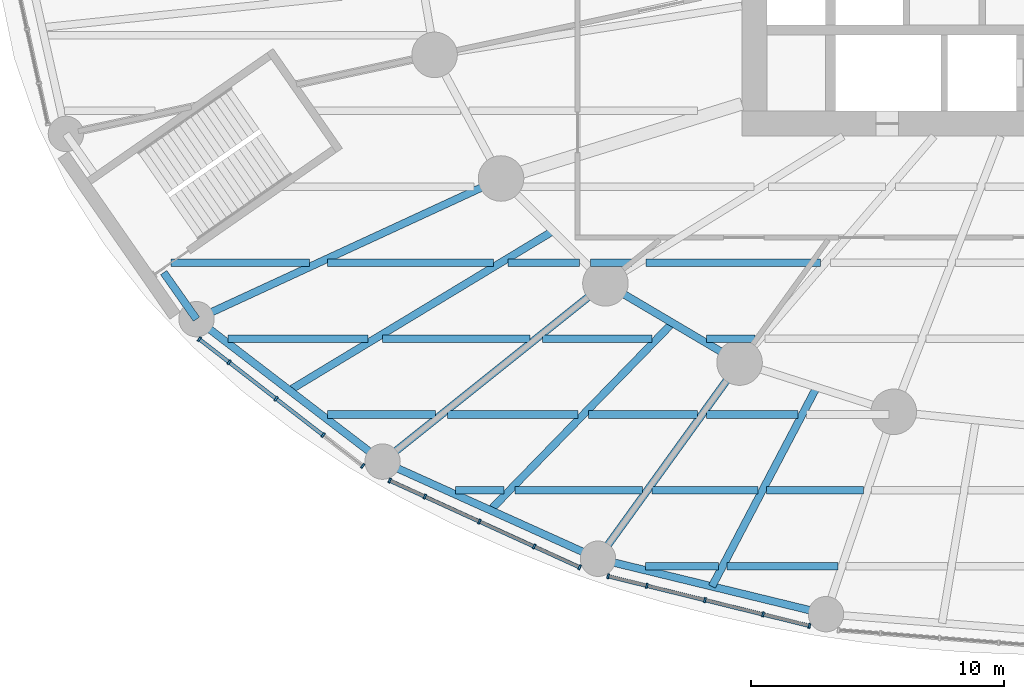
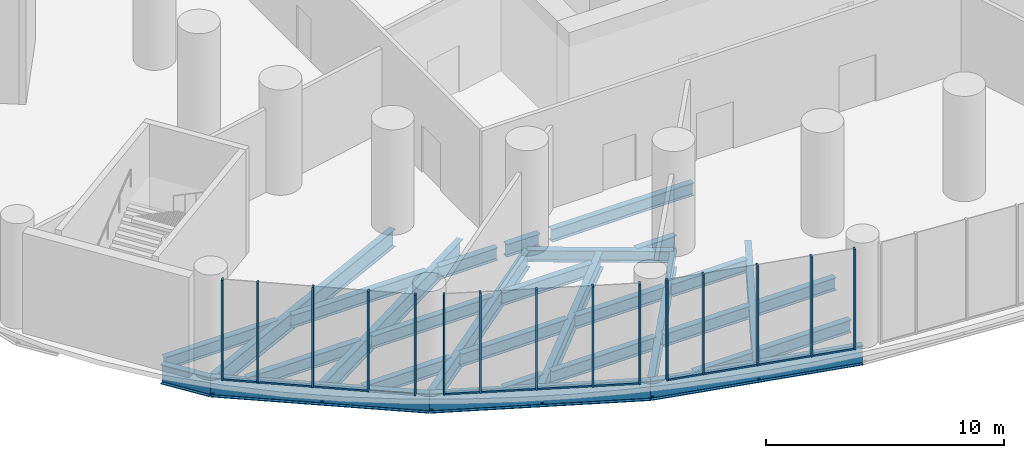
# One storey, part 2 of 21: 30 beams, 26 members, 3 elements without a shape of their own.
"""IFC4 building model written with IfcOpenShell, lengths in metres."""

from ifc_helpers import new_model, si_unit, direction, frame, origin, origin_2d, place, context, subcontext, project, spatial, rectangle, i_section, extrude, material, material_profile, profile_set, type_object, element, aggregate, save


model = new_model("IFC4")

# Units and contexts
model_context = context("Model", 3, precision=1e-05, world=origin(), true_north=direction((0.0, 1.0)))
body_context = subcontext(model_context, "Body", "Model", "MODEL_VIEW")
ifc_project = project(units=[si_unit("LENGTHUNIT", "METRE"), si_unit("AREAUNIT", "SQUARE_METRE"), si_unit("VOLUMEUNIT", "CUBIC_METRE"), si_unit("PLANEANGLEUNIT", "RADIAN"), si_unit("MASSUNIT", "GRAM", prefix="KILO")], contexts=[model_context])

# Site, building, storey
site_placement = place(None, origin())
site = spatial("IfcSite", under=ifc_project, at=site_placement, CompositionType="ELEMENT")
building_placement = place(site_placement, origin())
building = spatial("IfcBuilding", under=site, at=building_placement, Name="Hankou Lantern Tower", CompositionType="ELEMENT")
storey_placement = place(building_placement, frame((0.0, 0.0, 13.800048828125)))
storey = spatial("IfcBuildingStorey", under=building, at=storey_placement, Name="L02", CompositionType="ELEMENT", Elevation=13.800048828125)

# Beam
ifc_material_1 = material(Name="Steel Q355B", Category="steel")
ifc_material_profile_1 = material_profile(ifc_material_1, i_section(OverallWidth=0.300048828125, OverallDepth=0.587890625, WebThickness=0.011962890625, FlangeThickness=0.02001953125, FilletRadius=0.01806640625, at=origin_2d()), Name="HM588x300x12x20")
ifc_profile_set_1 = profile_set([ifc_material_profile_1], Name="Steel Q355B")
beam_type_1 = type_object("IfcBeamType", Name="EB16 RING BEAM HM588x300x12x20", PredefinedType="SPANDREL", material=ifc_profile_set_1)
beam_1_placement = place(storey_placement, frame((-17.891845703125, -14.3134765625, -0.5439453125), z_axis=(0.860881533543, -0.508805449268, 0.0), x_axis=(0.508805449268, 0.860881533543, 0.0)))
element("IfcBeam", 1, at=beam_1_placement, inside=storey, type_object=beam_type_1, Name="Ring beam R16-R17 L02", PredefinedType="SPANDREL", context=body_context, shape_type="SweptSolid", body=[
    extrude(i_section(OverallWidth=0.300048828125, OverallDepth=0.587890625, WebThickness=0.011962890625, FlangeThickness=0.02001953125, FilletRadius=0.01806640625, at=origin_2d()), origin(), (0.0, 0.0, 1.0), 6.15771484375),
])

# Curtain wall, members
ifc_material_2 = material(Name="Glass, dark grey tinted laminated", Category="glass")
curtain_wall_type = type_object("IfcCurtainWallType", Name="CWP PODIUM CURTAIN WALL", PredefinedType="USERDEFINED", material=ifc_material_2)
curtain_wall_1_placement = place(storey_placement, origin())
curtain_wall_1 = element("IfcCurtainWall", 2, at=curtain_wall_1_placement, inside=storey, type_object=curtain_wall_type, Name="CWP L02 PC11", ObjectType="PODIUM GLAZING", PredefinedType="USERDEFINED")
ifc_material_3 = material(Name="Aluminium, black anodised", Category="aluminium")
ifc_material_profile_2 = material_profile(ifc_material_3, rectangle(XDim=0.080078125, YDim=0.199951171875, at=origin_2d()), Name="MU2 80X200")
ifc_profile_set_2 = profile_set([ifc_material_profile_2], Name="Aluminium, black anodised")
member_type_1 = type_object("IfcMemberType", Name="MU2 PODIUM MULLION 80X200", PredefinedType="MULLION", material=ifc_profile_set_2)
member_1_placement = place(storey_placement, frame((-33.945068359375, -16.520751953125, 0.0), z_axis=(0.0, 0.0, 1.0), x_axis=(0.790129760642, -0.612939606608, 0.0)))
member_1 = element("IfcMember", 3, at=member_1_placement, type_object=member_type_1, Name="CWP mullion 1", PredefinedType="MULLION", context=body_context, shape_type="SweptSolid", body=[
    extrude(rectangle(XDim=0.080078125, YDim=0.199951171875, at=origin_2d()), origin(), (0.0, 0.0, 1.0), 5.14990234375),
])
member_2_placement = place(storey_placement, frame((-32.76806640625, -17.433837890625, 0.0), z_axis=(0.0, 0.0, 1.0), x_axis=(0.790129760642, -0.612939606608, 0.0)))
member_2 = element("IfcMember", 4, at=member_2_placement, type_object=member_type_1, Name="CWP mullion 2", PredefinedType="MULLION", context=body_context, shape_type="SweptSolid", body=[
    extrude(rectangle(XDim=0.080078125, YDim=0.199951171875, at=origin_2d()), origin(), (0.0, 0.0, 1.0), 5.14990234375),
])
member_3_placement = place(storey_placement, frame((-30.91064453125, -18.874755859375, 0.0), z_axis=(0.0, 0.0, 1.0), x_axis=(0.790129760642, -0.612939606608, 0.0)))
member_3 = element("IfcMember", 5, at=member_3_placement, type_object=member_type_1, Name="CWP mullion 3", PredefinedType="MULLION", context=body_context, shape_type="SweptSolid", body=[
    extrude(rectangle(XDim=0.080078125, YDim=0.199951171875, at=origin_2d()), origin(), (0.0, 0.0, 1.0), 5.14990234375),
])
member_4_placement = place(storey_placement, frame((-29.05322265625, -20.315673828125, 0.0), z_axis=(0.0, 0.0, 1.0), x_axis=(0.790129760642, -0.612939606608, 0.0)))
member_4 = element("IfcMember", 6, at=member_4_placement, type_object=member_type_1, Name="CWP mullion 4", PredefinedType="MULLION", context=body_context, shape_type="SweptSolid", body=[
    extrude(rectangle(XDim=0.080078125, YDim=0.199951171875, at=origin_2d()), origin(), (0.0, 0.0, 1.0), 5.14990234375),
])
member_5_placement = place(storey_placement, frame((-27.487060546875, -21.530517578125, 0.0), z_axis=(0.0, 0.0, 1.0), x_axis=(0.790129760642, -0.612939606608, 0.0)))
member_5 = element("IfcMember", 7, at=member_5_placement, type_object=member_type_1, Name="CWP mullion 5", PredefinedType="MULLION", context=body_context, shape_type="SweptSolid", body=[
    extrude(rectangle(XDim=0.080078125, YDim=0.199951171875, at=origin_2d()), origin(), (0.0, 0.0, 1.0), 5.14990234375),
])

curtain_wall_2_placement = place(storey_placement, origin())
curtain_wall_2 = element("IfcCurtainWall", 8, at=curtain_wall_2_placement, inside=storey, type_object=curtain_wall_type, Name="CWP L02 PC12", ObjectType="PODIUM GLAZING", PredefinedType="USERDEFINED")
member_6_placement = place(storey_placement, frame((-26.421630859375, -22.10986328125, 0.0), z_axis=(0.0, 0.0, 1.0), x_axis=(0.909669790944, -0.41533224224, 0.0)))
member_6 = element("IfcMember", 9, at=member_6_placement, type_object=member_type_1, Name="CWP mullion 1", PredefinedType="MULLION", context=body_context, shape_type="SweptSolid", body=[
    extrude(rectangle(XDim=0.080078125, YDim=0.199951171875, at=origin_2d()), origin(), (0.0, 0.0, 1.0), 5.14990234375),
])
member_7_placement = place(storey_placement, frame((-25.034423828125, -22.743408203125, 0.0), z_axis=(0.0, 0.0, 1.0), x_axis=(0.909669790944, -0.41533224224, 0.0)))
member_7 = element("IfcMember", 10, at=member_7_placement, type_object=member_type_1, Name="CWP mullion 2", PredefinedType="MULLION", context=body_context, shape_type="SweptSolid", body=[
    extrude(rectangle(XDim=0.080078125, YDim=0.199951171875, at=origin_2d()), origin(), (0.0, 0.0, 1.0), 5.14990234375),
])
member_8_placement = place(storey_placement, frame((-22.873046875, -23.730224609375, 0.0), z_axis=(0.0, 0.0, 1.0), x_axis=(0.909669790944, -0.41533224224, 0.0)))
member_8 = element("IfcMember", 11, at=member_8_placement, type_object=member_type_1, Name="CWP mullion 3", PredefinedType="MULLION", context=body_context, shape_type="SweptSolid", body=[
    extrude(rectangle(XDim=0.080078125, YDim=0.199951171875, at=origin_2d()), origin(), (0.0, 0.0, 1.0), 5.14990234375),
])
member_9_placement = place(storey_placement, frame((-20.711669921875, -24.717041015625, 0.0), z_axis=(0.0, 0.0, 1.0), x_axis=(0.909669790944, -0.41533224224, 0.0)))
member_9 = element("IfcMember", 12, at=member_9_placement, type_object=member_type_1, Name="CWP mullion 4", PredefinedType="MULLION", context=body_context, shape_type="SweptSolid", body=[
    extrude(rectangle(XDim=0.080078125, YDim=0.199951171875, at=origin_2d()), origin(), (0.0, 0.0, 1.0), 5.14990234375),
])
member_10_placement = place(storey_placement, frame((-18.913818359375, -25.537841796875, 0.0), z_axis=(0.0, 0.0, 1.0), x_axis=(0.909669790944, -0.41533224224, 0.0)))
member_10 = element("IfcMember", 13, at=member_10_placement, type_object=member_type_1, Name="CWP mullion 5", PredefinedType="MULLION", context=body_context, shape_type="SweptSolid", body=[
    extrude(rectangle(XDim=0.080078125, YDim=0.199951171875, at=origin_2d()), origin(), (0.0, 0.0, 1.0), 5.14990234375),
])

curtain_wall_3_placement = place(storey_placement, origin())
curtain_wall_3 = element("IfcCurtainWall", 14, at=curtain_wall_3_placement, inside=storey, type_object=curtain_wall_type, Name="CWP L02 PC13", ObjectType="PODIUM GLAZING", PredefinedType="USERDEFINED")
member_11_placement = place(storey_placement, frame((-17.785888671875, -25.892333984375, 0.0), z_axis=(0.0, 0.0, 1.0), x_axis=(0.970960955091, -0.239238006364, 0.0)))
member_11 = element("IfcMember", 15, at=member_11_placement, type_object=member_type_1, Name="CWP mullion 1", PredefinedType="MULLION", context=body_context, shape_type="SweptSolid", body=[
    extrude(rectangle(XDim=0.080078125, YDim=0.199951171875, at=origin_2d()), origin(), (0.0, 0.0, 1.0), 5.14990234375),
])
member_12_placement = place(storey_placement, frame((-16.25439453125, -26.26953125, 0.0), z_axis=(0.0, 0.0, 1.0), x_axis=(0.970960955091, -0.239238006364, 0.0)))
member_12 = element("IfcMember", 16, at=member_12_placement, type_object=member_type_1, Name="CWP mullion 2", PredefinedType="MULLION", context=body_context, shape_type="SweptSolid", body=[
    extrude(rectangle(XDim=0.080078125, YDim=0.199951171875, at=origin_2d()), origin(), (0.0, 0.0, 1.0), 5.14990234375),
])
member_13_placement = place(storey_placement, frame((-13.95849609375, -26.835205078125, 0.0), z_axis=(0.0, 0.0, 1.0), x_axis=(0.970960955091, -0.239238006364, 0.0)))
member_13 = element("IfcMember", 17, at=member_13_placement, type_object=member_type_1, Name="CWP mullion 3", PredefinedType="MULLION", context=body_context, shape_type="SweptSolid", body=[
    extrude(rectangle(XDim=0.080078125, YDim=0.199951171875, at=origin_2d()), origin(), (0.0, 0.0, 1.0), 5.14990234375),
])
member_14_placement = place(storey_placement, frame((-11.662841796875, -27.40087890625, 0.0), z_axis=(0.0, 0.0, 1.0), x_axis=(0.970960955091, -0.239238006364, 0.0)))
member_14 = element("IfcMember", 18, at=member_14_placement, type_object=member_type_1, Name="CWP mullion 4", PredefinedType="MULLION", context=body_context, shape_type="SweptSolid", body=[
    extrude(rectangle(XDim=0.080078125, YDim=0.199951171875, at=origin_2d()), origin(), (0.0, 0.0, 1.0), 5.14990234375),
])
member_15_placement = place(storey_placement, frame((-9.83056640625, -27.852294921875, 0.0), z_axis=(0.0, 0.0, 1.0), x_axis=(0.970960955091, -0.239238006364, 0.0)))
member_15 = element("IfcMember", 19, at=member_15_placement, type_object=member_type_1, Name="CWP mullion 5", PredefinedType="MULLION", context=body_context, shape_type="SweptSolid", body=[
    extrude(rectangle(XDim=0.080078125, YDim=0.199951171875, at=origin_2d()), origin(), (0.0, 0.0, 1.0), 5.14990234375),
])

# Beams
ifc_material_4 = material(Name="Steel Q355B", Category="steel")
ifc_material_profile_3 = material_profile(ifc_material_4, i_section(OverallWidth=0.300048828125, OverallDepth=0.89990234375, WebThickness=0.01611328125, FlangeThickness=0.028076171875, FilletRadius=0.01806640625, at=origin_2d()), Name="HN900x300x16x28")
ifc_profile_set_3 = profile_set([ifc_material_profile_3], Name="Steel Q355B")
beam_type_2 = type_object("IfcBeamType", Name="PB13 PODIUM RADIAL BEAM HN900x300x16x28", PredefinedType="BEAM", material=ifc_profile_set_3)
beam_2_placement = place(storey_placement, frame((-22.01904296875, -10.170166015625, -0.699951171875), z_axis=(-0.907840792808, -0.419315030633, 0.0), x_axis=(0.419315030633, -0.907840792808, 0.0)))
element("IfcBeam", 20, at=beam_2_placement, inside=storey, type_object=beam_type_2, Name="Podium radial beam R15 L02", PredefinedType="BEAM", context=body_context, shape_type="SweptSolid", body=[
    extrude(i_section(OverallWidth=0.300048828125, OverallDepth=0.89990234375, WebThickness=0.01611328125, FlangeThickness=0.028076171875, FilletRadius=0.01806640625, at=origin_2d()), origin(), (0.0, 0.0, 1.0), 13.259765625),
])
beam_3_placement = place(storey_placement, frame((-17.891845703125, -14.3134765625, -0.699951171875), z_axis=(-0.780875142676, -0.624687130931, 0.0), x_axis=(0.624687130931, -0.780875142676, 0.0)))
element("IfcBeam", 21, at=beam_3_placement, inside=storey, type_object=beam_type_2, Name="Podium radial beam R16 L02", PredefinedType="BEAM", context=body_context, shape_type="SweptSolid", body=[
    extrude(i_section(OverallWidth=0.300048828125, OverallDepth=0.89990234375, WebThickness=0.01611328125, FlangeThickness=0.028076171875, FilletRadius=0.01806640625, at=origin_2d()), origin(), (0.0, 0.0, 1.0), 11.28271484375),
])
beam_4_placement = place(storey_placement, frame((-12.5908203125, -17.446533203125, -0.699951171875), z_axis=(-0.585207097055, -0.810883871807, 0.0), x_axis=(0.810883871807, -0.585207097055, 0.0)))
element("IfcBeam", 22, at=beam_4_placement, inside=storey, type_object=beam_type_2, Name="Podium radial beam R17 L02", PredefinedType="BEAM", context=body_context, shape_type="SweptSolid", body=[
    extrude(i_section(OverallWidth=0.300048828125, OverallDepth=0.89990234375, WebThickness=0.01611328125, FlangeThickness=0.028076171875, FilletRadius=0.01806640625, at=origin_2d()), origin(), (0.0, 0.0, 1.0), 9.56103515625),
])
ifc_material_5 = material(Name="Steel Q355B", Category="steel")
ifc_material_profile_4 = material_profile(ifc_material_5, i_section(OverallWidth=0.300048828125, OverallDepth=1.0, WebThickness=0.01904296875, FlangeThickness=0.035888671875, FilletRadius=0.01806640625, at=origin_2d()), Name="HN1000x300x19x36")
ifc_profile_set_4 = profile_set([ifc_material_profile_4], Name="Steel Q355B")
beam_type_3 = type_object("IfcBeamType", Name="PR22 PODIUM RING BEAM HN1000x300x19x36", PredefinedType="BEAM", material=ifc_profile_set_4)
beam_5_placement = place(storey_placement, frame((-35.35400390625, -13.889404296875, -0.75), z_axis=(0.576006222853, -0.817445307794, 0.0), x_axis=(0.817445307794, 0.576006222853, 0.0)))
element("IfcBeam", 23, at=beam_5_placement, inside=storey, type_object=beam_type_3, Name="Podium ring beam R14-R15 L02 east part", PredefinedType="BEAM", context=body_context, shape_type="SweptSolid", body=[
    extrude(i_section(OverallWidth=0.300048828125, OverallDepth=1.0, WebThickness=0.01904296875, FlangeThickness=0.035888671875, FilletRadius=0.01806640625, at=origin_2d()), origin(), (0.0, 0.0, 1.0), 2.251953125),
])
beam_6_placement = place(storey_placement, frame((-34.056884765625, -15.730224609375, -0.75), z_axis=(0.793985875103, -0.607936205647, 0.0), x_axis=(0.607936205647, 0.793985875103, 0.0)))
element("IfcBeam", 24, at=beam_6_placement, inside=storey, type_object=beam_type_3, Name="Podium ring beam R15-R16 L02", PredefinedType="BEAM", context=body_context, shape_type="SweptSolid", body=[
    extrude(i_section(OverallWidth=0.300048828125, OverallDepth=1.0, WebThickness=0.01904296875, FlangeThickness=0.035888671875, FilletRadius=0.01806640625, at=origin_2d()), origin(), (0.0, 0.0, 1.0), 9.262939453125),
])
beam_7_placement = place(storey_placement, frame((-26.7021484375, -21.361572265625, -0.75), z_axis=(0.911695429723, -0.410866697874, 0.0), x_axis=(0.410866697874, 0.911695429723, 0.0)))
element("IfcBeam", 25, at=beam_7_placement, inside=storey, type_object=beam_type_3, Name="Podium ring beam R16-R17 L02", PredefinedType="BEAM", context=body_context, shape_type="SweptSolid", body=[
    extrude(i_section(OverallWidth=0.300048828125, OverallDepth=1.0, WebThickness=0.01904296875, FlangeThickness=0.035888671875, FilletRadius=0.01806640625, at=origin_2d()), origin(), (0.0, 0.0, 1.0), 9.341064453125),
])
beam_8_placement = place(storey_placement, frame((-18.18603515625, -25.199462890625, -0.75), z_axis=(0.971677242441, -0.23631194748, 0.0), x_axis=(0.23631194748, 0.971677242441, 0.0)))
element("IfcBeam", 26, at=beam_8_placement, inside=storey, type_object=beam_type_3, Name="Podium ring beam R17-R18 L02", PredefinedType="BEAM", context=body_context, shape_type="SweptSolid", body=[
    extrude(i_section(OverallWidth=0.300048828125, OverallDepth=1.0, WebThickness=0.01904296875, FlangeThickness=0.035888671875, FilletRadius=0.01806640625, at=origin_2d()), origin(), (0.0, 0.0, 1.0), 9.2744140625),
])
ifc_material_6 = material(Name="Steel Q355B", Category="steel")
ifc_material_profile_5 = material_profile(ifc_material_6, i_section(OverallWidth=0.300048828125, OverallDepth=0.89990234375, WebThickness=0.01611328125, FlangeThickness=0.028076171875, FilletRadius=0.01806640625, at=origin_2d()), Name="HN900x300x16x28")
ifc_profile_set_5 = profile_set([ifc_material_profile_5], Name="Steel Q355B")
beam_type_4 = type_object("IfcBeamType", Name="PS13 PODIUM SECONDARY BEAM HN900x300x16x28", PredefinedType="JOIST", material=ifc_profile_set_5)
beam_9_placement = place(storey_placement, frame((-19.955322265625, -12.24169921875, -0.699951171875), z_axis=(-0.855685755165, -0.517495785884, 0.0), x_axis=(0.517495785884, -0.855685755165, 0.0)))
element("IfcBeam", 27, at=beam_9_placement, inside=storey, type_object=beam_type_4, Name="Podium secondary beam bay R15 L02", PredefinedType="JOIST", context=body_context, shape_type="SweptSolid", body=[
    extrude(i_section(OverallWidth=0.300048828125, OverallDepth=0.89990234375, WebThickness=0.01611328125, FlangeThickness=0.028076171875, FilletRadius=0.01806640625, at=origin_2d()), origin(), (0.0, 0.0, 1.0), 12.18212890625),
])
beam_10_placement = place(storey_placement, frame((-15.2412109375, -15.8798828125, -0.699951171875), z_axis=(-0.697467529957, -0.716616385981, 0.0), x_axis=(0.716616385981, -0.697467529957, 0.0)))
element("IfcBeam", 28, at=beam_10_placement, inside=storey, type_object=beam_type_4, Name="Podium secondary beam bay R16 L02", PredefinedType="JOIST", context=body_context, shape_type="SweptSolid", body=[
    extrude(i_section(OverallWidth=0.300048828125, OverallDepth=0.89990234375, WebThickness=0.01611328125, FlangeThickness=0.028076171875, FilletRadius=0.01806640625, at=origin_2d()), origin(), (0.0, 0.0, 1.0), 10.3271484375),
])
beam_11_placement = place(storey_placement, frame((-9.54296875, -18.4189453125, -0.699951171875), z_axis=(-0.465026961303, -0.88529651827, 0.0), x_axis=(0.88529651827, -0.465026961303, 0.0)))
element("IfcBeam", 29, at=beam_11_placement, inside=storey, type_object=beam_type_4, Name="Podium secondary beam bay R17 L02", PredefinedType="JOIST", context=body_context, shape_type="SweptSolid", body=[
    extrude(i_section(OverallWidth=0.300048828125, OverallDepth=0.89990234375, WebThickness=0.01611328125, FlangeThickness=0.028076171875, FilletRadius=0.01806640625, at=origin_2d()), origin(), (0.0, 0.0, 1.0), 8.896728515625),
])
ifc_material_7 = material(Name="Steel Q355B", Category="steel")
ifc_material_profile_6 = material_profile(ifc_material_7, i_section(OverallWidth=0.300048828125, OverallDepth=0.64990234375, WebThickness=0.010986328125, FlangeThickness=0.01708984375, FilletRadius=0.01806640625, at=origin_2d()), Name="HN650x300x11x17")
ifc_profile_set_6 = profile_set([ifc_material_profile_6], Name="Steel Q355B")
beam_type_5 = type_object("IfcBeamType", Name="SB8 SECONDARY BEAM HN650x300x11x17", PredefinedType="JOIST", material=ifc_profile_set_6)
beam_12_placement = place(storey_placement, frame((-16.3154296875, -25.5, -0.574951171875), z_axis=(1.0, 0.0, 0.0), x_axis=(0.0, 1.0, 0.0)))
element("IfcBeam", 30, at=beam_12_placement, inside=storey, type_object=beam_type_5, Name="Floor joist J001 L02", PredefinedType="JOIST", context=body_context, shape_type="SweptSolid", body=[
    extrude(i_section(OverallWidth=0.300048828125, OverallDepth=0.64990234375, WebThickness=0.010986328125, FlangeThickness=0.01708984375, FilletRadius=0.01806640625, at=origin_2d()), origin(), (0.0, 0.0, 1.0), 2.883544921875),
])
beam_13_placement = place(storey_placement, frame((-13.093017578125, -25.5, -0.574951171875), z_axis=(1.0, 0.0, 0.0), x_axis=(0.0, 1.0, 0.0)))
element("IfcBeam", 31, at=beam_13_placement, inside=storey, type_object=beam_type_5, Name="Floor joist J002 L02", PredefinedType="JOIST", context=body_context, shape_type="SweptSolid", body=[
    extrude(i_section(OverallWidth=0.300048828125, OverallDepth=0.64990234375, WebThickness=0.010986328125, FlangeThickness=0.01708984375, FilletRadius=0.01806640625, at=origin_2d()), origin(), (0.0, 0.0, 1.0), 4.39404296875),
])
beam_14_placement = place(storey_placement, frame((-23.81103515625, -22.5, -0.574951171875), z_axis=(1.0, 0.0, 0.0), x_axis=(0.0, 1.0, 0.0)))
element("IfcBeam", 32, at=beam_14_placement, inside=storey, type_object=beam_type_5, Name="Floor joist J009 L02", PredefinedType="JOIST", context=body_context, shape_type="SweptSolid", body=[
    extrude(i_section(OverallWidth=0.300048828125, OverallDepth=0.64990234375, WebThickness=0.010986328125, FlangeThickness=0.01708984375, FilletRadius=0.01806640625, at=origin_2d()), origin(), (0.0, 0.0, 1.0), 1.917236328125),
])
beam_15_placement = place(storey_placement, frame((-21.47509765625, -22.5, -0.574951171875), z_axis=(1.0, 0.0, 0.0), x_axis=(0.0, 1.0, 0.0)))
element("IfcBeam", 33, at=beam_15_placement, inside=storey, type_object=beam_type_5, Name="Floor joist J010 L02", PredefinedType="JOIST", context=body_context, shape_type="SweptSolid", body=[
    extrude(i_section(OverallWidth=0.300048828125, OverallDepth=0.64990234375, WebThickness=0.010986328125, FlangeThickness=0.01708984375, FilletRadius=0.01806640625, at=origin_2d()), origin(), (0.0, 0.0, 1.0), 5.052001953125),
])
beam_16_placement = place(storey_placement, frame((-16.052978515625, -22.5, -0.574951171875), z_axis=(1.0, 0.0, 0.0), x_axis=(0.0, 1.0, 0.0)))
element("IfcBeam", 34, at=beam_16_placement, inside=storey, type_object=beam_type_5, Name="Floor joist J011 L02", PredefinedType="JOIST", context=body_context, shape_type="SweptSolid", body=[
    extrude(i_section(OverallWidth=0.300048828125, OverallDepth=0.64990234375, WebThickness=0.010986328125, FlangeThickness=0.01708984375, FilletRadius=0.01806640625, at=origin_2d()), origin(), (0.0, 0.0, 1.0), 4.197021484375),
])
beam_17_placement = place(storey_placement, frame((-11.51708984375, -22.5, -0.574951171875), z_axis=(1.0, 0.0, 0.0), x_axis=(0.0, 1.0, 0.0)))
element("IfcBeam", 35, at=beam_17_placement, inside=storey, type_object=beam_type_5, Name="Floor joist J012 L02", PredefinedType="JOIST", context=body_context, shape_type="SweptSolid", body=[
    extrude(i_section(OverallWidth=0.300048828125, OverallDepth=0.64990234375, WebThickness=0.010986328125, FlangeThickness=0.01708984375, FilletRadius=0.01806640625, at=origin_2d()), origin(), (0.0, 0.0, 1.0), 3.82275390625),
])
beam_18_placement = place(storey_placement, frame((-28.88671875, -19.5, -0.574951171875), z_axis=(1.0, 0.0, 0.0), x_axis=(0.0, 1.0, 0.0)))
element("IfcBeam", 36, at=beam_18_placement, inside=storey, type_object=beam_type_5, Name="Floor joist J021 L02", PredefinedType="JOIST", context=body_context, shape_type="SweptSolid", body=[
    extrude(i_section(OverallWidth=0.300048828125, OverallDepth=0.64990234375, WebThickness=0.010986328125, FlangeThickness=0.01708984375, FilletRadius=0.01806640625, at=origin_2d()), origin(), (0.0, 0.0, 1.0), 4.271484375),
])
beam_19_placement = place(storey_placement, frame((-24.134765625, -19.5, -0.574951171875), z_axis=(1.0, 0.0, 0.0), x_axis=(0.0, 1.0, 0.0)))
element("IfcBeam", 37, at=beam_19_placement, inside=storey, type_object=beam_type_5, Name="Floor joist J022 L02", PredefinedType="JOIST", context=body_context, shape_type="SweptSolid", body=[
    extrude(i_section(OverallWidth=0.300048828125, OverallDepth=0.64990234375, WebThickness=0.010986328125, FlangeThickness=0.01708984375, FilletRadius=0.01806640625, at=origin_2d()), origin(), (0.0, 0.0, 1.0), 5.160888671875),
])
beam_20_placement = place(storey_placement, frame((-18.55517578125, -19.5, -0.574951171875), z_axis=(1.0, 0.0, 0.0), x_axis=(0.0, 1.0, 0.0)))
element("IfcBeam", 38, at=beam_20_placement, inside=storey, type_object=beam_type_5, Name="Floor joist J023 L02", PredefinedType="JOIST", context=body_context, shape_type="SweptSolid", body=[
    extrude(i_section(OverallWidth=0.300048828125, OverallDepth=0.64990234375, WebThickness=0.010986328125, FlangeThickness=0.01708984375, FilletRadius=0.01806640625, at=origin_2d()), origin(), (0.0, 0.0, 1.0), 4.29736328125),
])
beam_21_placement = place(storey_placement, frame((-13.887939453125, -19.5, -0.574951171875), z_axis=(1.0, 0.0, 0.0), x_axis=(0.0, 1.0, 0.0)))
element("IfcBeam", 39, at=beam_21_placement, inside=storey, type_object=beam_type_5, Name="Floor joist J024 L02", PredefinedType="JOIST", context=body_context, shape_type="SweptSolid", body=[
    extrude(i_section(OverallWidth=0.300048828125, OverallDepth=0.64990234375, WebThickness=0.010986328125, FlangeThickness=0.01708984375, FilletRadius=0.01806640625, at=origin_2d()), origin(), (0.0, 0.0, 1.0), 3.607666015625),
])
beam_22_placement = place(storey_placement, frame((-32.8046875, -16.5, -0.574951171875), z_axis=(1.0, 0.0, 0.0), x_axis=(0.0, 1.0, 0.0)))
element("IfcBeam", 40, at=beam_22_placement, inside=storey, type_object=beam_type_5, Name="Floor joist J033 L02", PredefinedType="JOIST", context=body_context, shape_type="SweptSolid", body=[
    extrude(i_section(OverallWidth=0.300048828125, OverallDepth=0.64990234375, WebThickness=0.010986328125, FlangeThickness=0.01708984375, FilletRadius=0.01806640625, at=origin_2d()), origin(), (0.0, 0.0, 1.0), 5.518310546875),
])
beam_23_placement = place(storey_placement, frame((-26.70654296875, -16.5, -0.574951171875), z_axis=(1.0, 0.0, 0.0), x_axis=(0.0, 1.0, 0.0)))
element("IfcBeam", 41, at=beam_23_placement, inside=storey, type_object=beam_type_5, Name="Floor joist J034 L02", PredefinedType="JOIST", context=body_context, shape_type="SweptSolid", body=[
    extrude(i_section(OverallWidth=0.300048828125, OverallDepth=0.64990234375, WebThickness=0.010986328125, FlangeThickness=0.01708984375, FilletRadius=0.01806640625, at=origin_2d()), origin(), (0.0, 0.0, 1.0), 5.84130859375),
])
beam_24_placement = place(storey_placement, frame((-20.384765625, -16.5, -0.574951171875), z_axis=(1.0, 0.0, 0.0), x_axis=(0.0, 1.0, 0.0)))
element("IfcBeam", 42, at=beam_24_placement, inside=storey, type_object=beam_type_5, Name="Floor joist J035 L02", PredefinedType="JOIST", context=body_context, shape_type="SweptSolid", body=[
    extrude(i_section(OverallWidth=0.300048828125, OverallDepth=0.64990234375, WebThickness=0.010986328125, FlangeThickness=0.01708984375, FilletRadius=0.01806640625, at=origin_2d()), origin(), (0.0, 0.0, 1.0), 4.33056640625),
])
beam_25_placement = place(storey_placement, frame((-13.8974609375, -16.5, -0.574951171875), z_axis=(1.0, 0.0, 0.0), x_axis=(0.0, 1.0, 0.0)))
element("IfcBeam", 43, at=beam_25_placement, inside=storey, type_object=beam_type_5, Name="Floor joist J036 L02", PredefinedType="JOIST", context=body_context, shape_type="SweptSolid", body=[
    extrude(i_section(OverallWidth=0.300048828125, OverallDepth=0.64990234375, WebThickness=0.010986328125, FlangeThickness=0.01708984375, FilletRadius=0.01806640625, at=origin_2d()), origin(), (0.0, 0.0, 1.0), 1.921630859375),
])
beam_26_placement = place(storey_placement, frame((-35.056884765625, -13.5, -0.574951171875), z_axis=(1.0, 0.0, 0.0), x_axis=(0.0, 1.0, 0.0)))
element("IfcBeam", 44, at=beam_26_placement, inside=storey, type_object=beam_type_5, Name="Floor joist J045 L02", PredefinedType="JOIST", context=body_context, shape_type="SweptSolid", body=[
    extrude(i_section(OverallWidth=0.300048828125, OverallDepth=0.64990234375, WebThickness=0.010986328125, FlangeThickness=0.01708984375, FilletRadius=0.01806640625, at=origin_2d()), origin(), (0.0, 0.0, 1.0), 5.470703125),
])
beam_27_placement = place(storey_placement, frame((-28.87060546875, -13.5, -0.574951171875), z_axis=(1.0, 0.0, 0.0), x_axis=(0.0, 1.0, 0.0)))
element("IfcBeam", 45, at=beam_27_placement, inside=storey, type_object=beam_type_5, Name="Floor joist J046 L02", PredefinedType="JOIST", context=body_context, shape_type="SweptSolid", body=[
    extrude(i_section(OverallWidth=0.300048828125, OverallDepth=0.64990234375, WebThickness=0.010986328125, FlangeThickness=0.01708984375, FilletRadius=0.01806640625, at=origin_2d()), origin(), (0.0, 0.0, 1.0), 6.544921875),
])
beam_28_placement = place(storey_placement, frame((-21.74609375, -13.5, -0.574951171875), z_axis=(1.0, 0.0, 0.0), x_axis=(0.0, 1.0, 0.0)))
element("IfcBeam", 46, at=beam_28_placement, inside=storey, type_object=beam_type_5, Name="Floor joist J047 L02", PredefinedType="JOIST", context=body_context, shape_type="SweptSolid", body=[
    extrude(i_section(OverallWidth=0.300048828125, OverallDepth=0.64990234375, WebThickness=0.010986328125, FlangeThickness=0.01708984375, FilletRadius=0.01806640625, at=origin_2d()), origin(), (0.0, 0.0, 1.0), 2.832275390625),
])
beam_29_placement = place(storey_placement, frame((-18.490234375, -13.5, -0.574951171875), z_axis=(1.0, 0.0, 0.0), x_axis=(0.0, 1.0, 0.0)))
element("IfcBeam", 47, at=beam_29_placement, inside=storey, type_object=beam_type_5, Name="Floor joist J048 L02", PredefinedType="JOIST", context=body_context, shape_type="SweptSolid", body=[
    extrude(i_section(OverallWidth=0.300048828125, OverallDepth=0.64990234375, WebThickness=0.010986328125, FlangeThickness=0.01708984375, FilletRadius=0.01806640625, at=origin_2d()), origin(), (0.0, 0.0, 1.0), 1.62744140625),
])
beam_30_placement = place(storey_placement, frame((-16.292724609375, -13.5, -0.574951171875), z_axis=(1.0, 0.0, 0.0), x_axis=(0.0, 1.0, 0.0)))
element("IfcBeam", 48, at=beam_30_placement, inside=storey, type_object=beam_type_5, Name="Floor joist J049 L02", PredefinedType="JOIST", context=body_context, shape_type="SweptSolid", body=[
    extrude(i_section(OverallWidth=0.300048828125, OverallDepth=0.64990234375, WebThickness=0.010986328125, FlangeThickness=0.01708984375, FilletRadius=0.01806640625, at=origin_2d()), origin(), (0.0, 0.0, 1.0), 6.893310546875),
])

# Member
ifc_material_8 = material(Name="Aluminium, black anodised", Category="aluminium")
ifc_material_profile_7 = material_profile(ifc_material_8, rectangle(XDim=0.14990234375, YDim=0.080078125, at=origin_2d()), Name="TR2 150X80")
ifc_profile_set_7 = profile_set([ifc_material_profile_7], Name="Aluminium, black anodised")
member_type_2 = type_object("IfcMemberType", Name="TR2 PODIUM TRANSOM 150X80", PredefinedType="USERDEFINED", material=ifc_profile_set_7)
member_16_placement = place(storey_placement, frame((-33.913330078125, -16.54541015625, 0.0400390625), z_axis=(0.790144462034, -0.612920654829, 0.0), x_axis=(0.612920654829, 0.790144462034, 0.0)))
member_16 = element("IfcMember", 49, at=member_16_placement, type_object=member_type_2, Name="CWP transom 1", ObjectType="TRANSOM", PredefinedType="USERDEFINED", context=body_context, shape_type="SweptSolid", body=[
    extrude(rectangle(XDim=0.14990234375, YDim=0.080078125, at=origin_2d()), origin(), (0.0, 0.0, 1.0), 1.4091796875),
])

member_17_placement = place(storey_placement, frame((-32.736572265625, -17.458251953125, 0.0400390625), z_axis=(0.79016773701, -0.612890648802, 0.0), x_axis=(0.612890648802, 0.79016773701, 0.0)))
member_17 = element("IfcMember", 50, at=member_17_placement, type_object=member_type_2, Name="CWP transom 2", ObjectType="TRANSOM", PredefinedType="USERDEFINED", context=body_context, shape_type="SweptSolid", body=[
    extrude(rectangle(XDim=0.14990234375, YDim=0.080078125, at=origin_2d()), origin(), (0.0, 0.0, 1.0), 2.27099609375),
])

member_18_placement = place(storey_placement, frame((-30.879150390625, -18.899169921875, 0.0400390625), z_axis=(0.79016773701, -0.612890648802, 0.0), x_axis=(0.612890648802, 0.79016773701, 0.0)))
member_18 = element("IfcMember", 51, at=member_18_placement, type_object=member_type_2, Name="CWP transom 3", ObjectType="TRANSOM", PredefinedType="USERDEFINED", context=body_context, shape_type="SweptSolid", body=[
    extrude(rectangle(XDim=0.14990234375, YDim=0.080078125, at=origin_2d()), origin(), (0.0, 0.0, 1.0), 2.27099609375),
])

aggregate(curtain_wall_1, [member_1, member_2, member_3, member_4, member_5, member_16, member_17, member_18])

member_19_placement = place(storey_placement, frame((-26.38525390625, -22.126708984375, 0.0400390625), z_axis=(0.909682453266, -0.415304507825, 0.0), x_axis=(0.415304507825, 0.909682453266, 0.0)))
member_19 = element("IfcMember", 52, at=member_19_placement, type_object=member_type_2, Name="CWP transom 1", ObjectType="TRANSOM", PredefinedType="USERDEFINED", context=body_context, shape_type="SweptSolid", body=[
    extrude(rectangle(XDim=0.14990234375, YDim=0.080078125, at=origin_2d()), origin(), (0.0, 0.0, 1.0), 1.445068359375),
])

member_20_placement = place(storey_placement, frame((-24.998046875, -22.760009765625, 0.0400390625), z_axis=(0.909669664149, -0.415332519949, 0.0), x_axis=(0.415332519949, 0.909669664149, 0.0)))
member_20 = element("IfcMember", 53, at=member_20_placement, type_object=member_type_2, Name="CWP transom 2", ObjectType="TRANSOM", PredefinedType="USERDEFINED", context=body_context, shape_type="SweptSolid", body=[
    extrude(rectangle(XDim=0.14990234375, YDim=0.080078125, at=origin_2d()), origin(), (0.0, 0.0, 1.0), 2.296142578125),
])

member_21_placement = place(storey_placement, frame((-22.836669921875, -23.746826171875, 0.0400390625), z_axis=(0.909669664149, -0.415332519949, 0.0), x_axis=(0.415332519949, 0.909669664149, 0.0)))
member_21 = element("IfcMember", 54, at=member_21_placement, type_object=member_type_2, Name="CWP transom 3", ObjectType="TRANSOM", PredefinedType="USERDEFINED", context=body_context, shape_type="SweptSolid", body=[
    extrude(rectangle(XDim=0.14990234375, YDim=0.080078125, at=origin_2d()), origin(), (0.0, 0.0, 1.0), 2.296142578125),
])

member_22_placement = place(storey_placement, frame((-20.67529296875, -24.733642578125, 0.0400390625), z_axis=(0.909677430468, -0.41531550958, 0.0), x_axis=(0.41531550958, 0.909677430468, 0.0)))
member_22 = element("IfcMember", 55, at=member_22_placement, type_object=member_type_2, Name="CWP transom 4", ObjectType="TRANSOM", PredefinedType="USERDEFINED", context=body_context, shape_type="SweptSolid", body=[
    extrude(rectangle(XDim=0.14990234375, YDim=0.080078125, at=origin_2d()), origin(), (0.0, 0.0, 1.0), 1.896484375),
])

aggregate(curtain_wall_2, [member_6, member_7, member_8, member_9, member_10, member_19, member_20, member_21, member_22])

member_23_placement = place(storey_placement, frame((-17.7470703125, -25.90185546875, 0.0400390625), z_axis=(0.970971197991, -0.239196431142, 0.0), x_axis=(0.239196431142, 0.970971197991, 0.0)))
member_23 = element("IfcMember", 56, at=member_23_placement, type_object=member_type_2, Name="CWP transom 1", ObjectType="TRANSOM", PredefinedType="USERDEFINED", context=body_context, shape_type="SweptSolid", body=[
    extrude(rectangle(XDim=0.14990234375, YDim=0.080078125, at=origin_2d()), origin(), (0.0, 0.0, 1.0), 1.497314453125),
])

member_24_placement = place(storey_placement, frame((-16.215576171875, -26.279052734375, 0.0400390625), z_axis=(0.970948059845, -0.239290336378, 0.0), x_axis=(0.239290336378, 0.970948059845, 0.0)))
member_24 = element("IfcMember", 57, at=member_24_placement, type_object=member_type_2, Name="CWP transom 2", ObjectType="TRANSOM", PredefinedType="USERDEFINED", context=body_context, shape_type="SweptSolid", body=[
    extrude(rectangle(XDim=0.14990234375, YDim=0.080078125, at=origin_2d()), origin(), (0.0, 0.0, 1.0), 2.284423828125),
])

member_25_placement = place(storey_placement, frame((-13.919677734375, -26.8447265625, 0.0400390625), z_axis=(0.970948059845, -0.239290336378, 0.0), x_axis=(0.239290336378, 0.970948059845, 0.0)))
member_25 = element("IfcMember", 58, at=member_25_placement, type_object=member_type_2, Name="CWP transom 3", ObjectType="TRANSOM", PredefinedType="USERDEFINED", context=body_context, shape_type="SweptSolid", body=[
    extrude(rectangle(XDim=0.14990234375, YDim=0.080078125, at=origin_2d()), origin(), (0.0, 0.0, 1.0), 2.284423828125),
])

member_26_placement = place(storey_placement, frame((-11.6240234375, -27.410400390625, 0.0400390625), z_axis=(0.970955515261, -0.23926008314, 0.0), x_axis=(0.23926008314, 0.970955515261, 0.0)))
member_26 = element("IfcMember", 59, at=member_26_placement, type_object=member_type_2, Name="CWP transom 4", ObjectType="TRANSOM", PredefinedType="USERDEFINED", context=body_context, shape_type="SweptSolid", body=[
    extrude(rectangle(XDim=0.14990234375, YDim=0.080078125, at=origin_2d()), origin(), (0.0, 0.0, 1.0), 1.80712890625),
])

aggregate(curtain_wall_3, [member_11, member_12, member_13, member_14, member_15, member_23, member_24, member_25, member_26])

save(model, "model.ifc")
